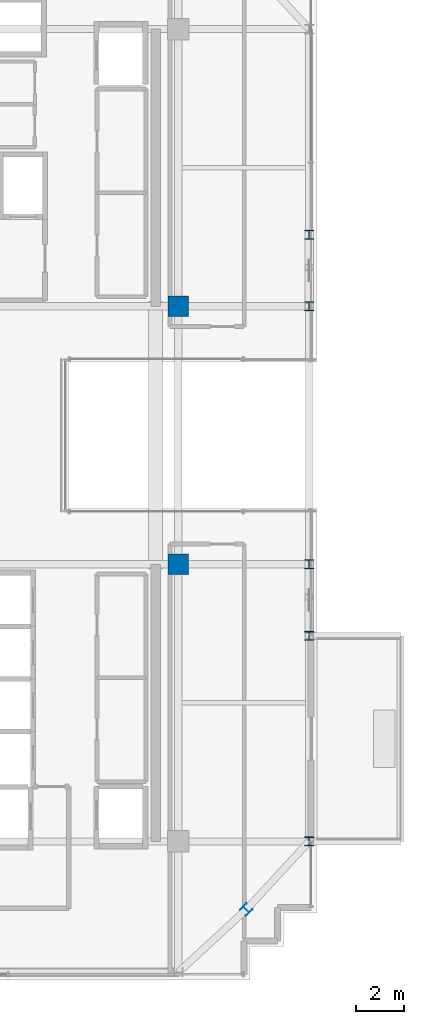
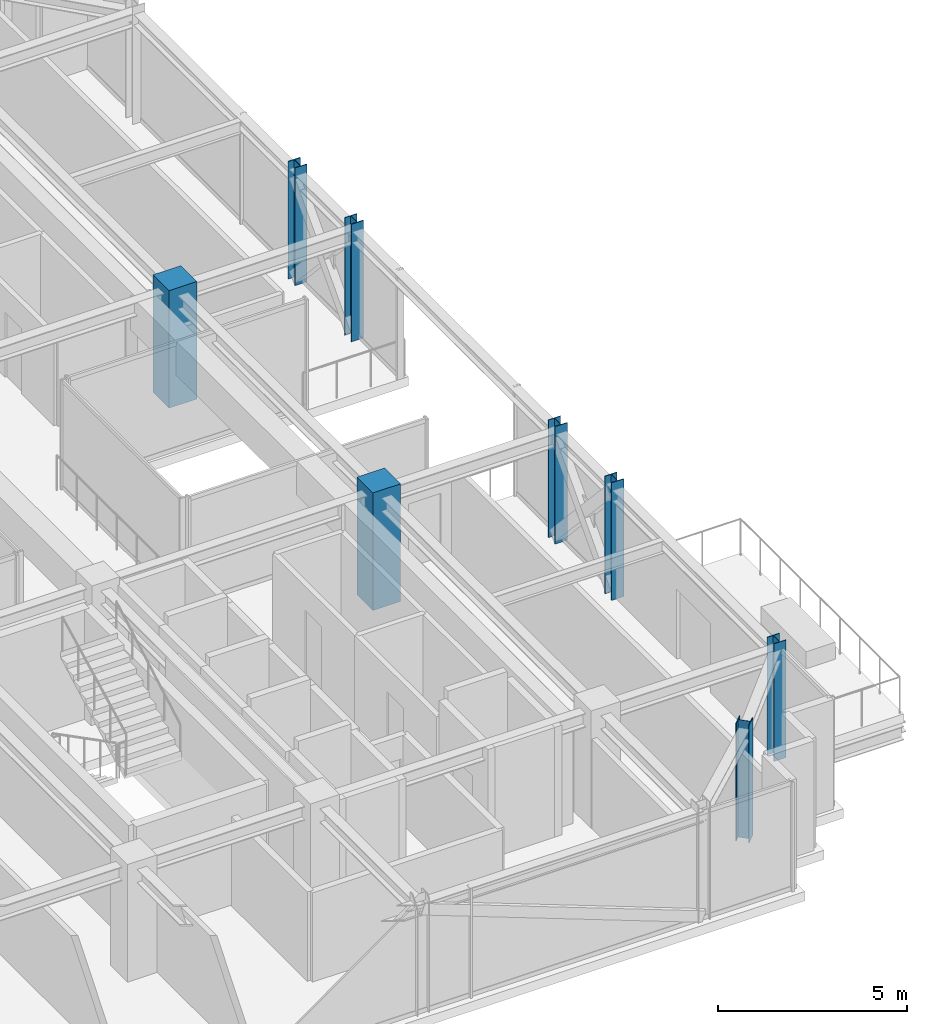
# One storey, part 2 of 39: 8 columns.
"""IFC4 building model written with IfcOpenShell, lengths in metres."""

from ifc_helpers import new_model, si_unit, direction, frame, origin, origin_2d, place, context, subcontext, project, spatial, rectangle, i_section, extrude, source, transform, mapped, material, material_profile, profile_set, type_object, element, save


model = new_model("IFC4")

# Units and contexts
model_context = context("Model", 3, precision=1e-05, world=origin(), true_north=direction((0.0, 1.0)))
body_context = subcontext(model_context, "Body", "Model", "MODEL_VIEW")
ifc_project = project(units=[si_unit("LENGTHUNIT", "METRE"), si_unit("AREAUNIT", "SQUARE_METRE"), si_unit("VOLUMEUNIT", "CUBIC_METRE"), si_unit("PLANEANGLEUNIT", "RADIAN"), si_unit("MASSUNIT", "GRAM", prefix="KILO")], contexts=[model_context])

# Site, building, storey
site_placement = place(None, origin())
site = spatial("IfcSite", under=ifc_project, at=site_placement, CompositionType="ELEMENT")
building_placement = place(site_placement, origin())
building = spatial("IfcBuilding", under=site, at=building_placement, Name="Nahalor Promenade Grand Hotel", CompositionType="ELEMENT")
storey_placement = place(building_placement, frame((0.0, 0.0, 311.89990234375)))
storey = spatial("IfcBuildingStorey", under=building, at=storey_placement, Name="L80", CompositionType="ELEMENT", Elevation=311.89990234375)

# Columns
ifc_material_1 = material(Name="Concrete B-70 (C60/75)", Category="concrete")
ifc_material_profile_1 = material_profile(ifc_material_1, rectangle(XDim=0.85, YDim=0.85, at=origin_2d()), Name="RC 850x850")
ifc_profile_set_1 = profile_set([ifc_material_profile_1], Name="Concrete B-70 (C60/75)")
column_type_1 = type_object("IfcColumnType", Name="Col-Pilaster-850", PredefinedType="PILASTER", material=ifc_profile_set_1)
shared_shape_1 = source(origin(), body_context, "Body", "SweptSolid", [
    extrude(rectangle(XDim=0.85, YDim=0.85, at=origin_2d()), origin(), (0.0, 0.0, 1.0), 3.80517578125),
])
for number, where, z_axis, x_axis, name in (
    (1, (17.0, -5.39990234375, 0.0), (0.0, 0.0, 1.0), (1.0, 0.0, 0.0), "COL-L80-I51"),
    (2, (17.0, 5.39990234375, 0.0), (0.0, 0.0, 1.0), (1.0, 0.0, 0.0), "COL-L80-I52"),
):
    element("IfcColumn", number, at=place(storey_placement, frame(where, z_axis=z_axis, x_axis=x_axis)), inside=storey, type_object=column_type_1, Name=name, PredefinedType="PILASTER", context=body_context, shape_type="MappedRepresentation", body=[
        mapped(shared_shape_1, transform((0.0, 0.0, 0.0), scale=1.0)),
    ])
ifc_material_2 = material(Name="Steel S355JR", Category="steel")
ifc_material_profile_2 = material_profile(ifc_material_2, i_section(OverallWidth=0.374, OverallDepth=0.374, WebThickness=0.0144, FlangeThickness=0.0229, at=origin_2d()), Name="HD 360x262")
ifc_profile_set_2 = profile_set([ifc_material_profile_2], Name="Steel S355JR")
column_type_2 = type_object("IfcColumnType", Name="Col-Steel-HD262", PredefinedType="COLUMN", material=ifc_profile_set_2)
shared_shape_2 = source(origin(), body_context, "Body", "SweptSolid", [
    extrude(i_section(OverallWidth=0.374, OverallDepth=0.374, WebThickness=0.0144, FlangeThickness=0.0229, at=origin_2d()), origin(), (0.0, 0.0, 1.0), 3.80517578125),
])
for number, where, z_axis, x_axis, name in (
    (3, (22.47998046875, -17.0, 0.0), (0.0, 0.0, 1.0), (1.0, 0.0, 0.0), "COL-L80-PW-E0"),
    (4, (22.47998046875, -8.39990234375, 0.0), (0.0, 0.0, 1.0), (1.0, 0.0, 0.0), "COL-L80-PW-E1"),
    (5, (22.47998046875, -5.39990234375, 0.0), (0.0, 0.0, 1.0), (1.0, 0.0, 0.0), "COL-L80-PW-E2"),
    (6, (22.47998046875, 5.39990234375, 0.0), (0.0, 0.0, 1.0), (1.0, 0.0, 0.0), "COL-L80-PW-E3"),
    (7, (22.47998046875, 8.39990234375, 0.0), (0.0, 0.0, 1.0), (1.0, 0.0, 0.0), "COL-L80-PW-E4"),
    (8, (19.85009765625, -19.85009765625, 0.0), (0.0, 0.0, 1.0), (0.707106781187, 0.707106781187, 0.0), "COL-L80-CRN-SE"),
):
    element("IfcColumn", number, at=place(storey_placement, frame(where, z_axis=z_axis, x_axis=x_axis)), inside=storey, type_object=column_type_2, Name=name, PredefinedType="COLUMN", context=body_context, shape_type="MappedRepresentation", body=[
        mapped(shared_shape_2, transform((0.0, 0.0, 0.0), scale=1.0)),
    ])

save(model, "model.ifc")
